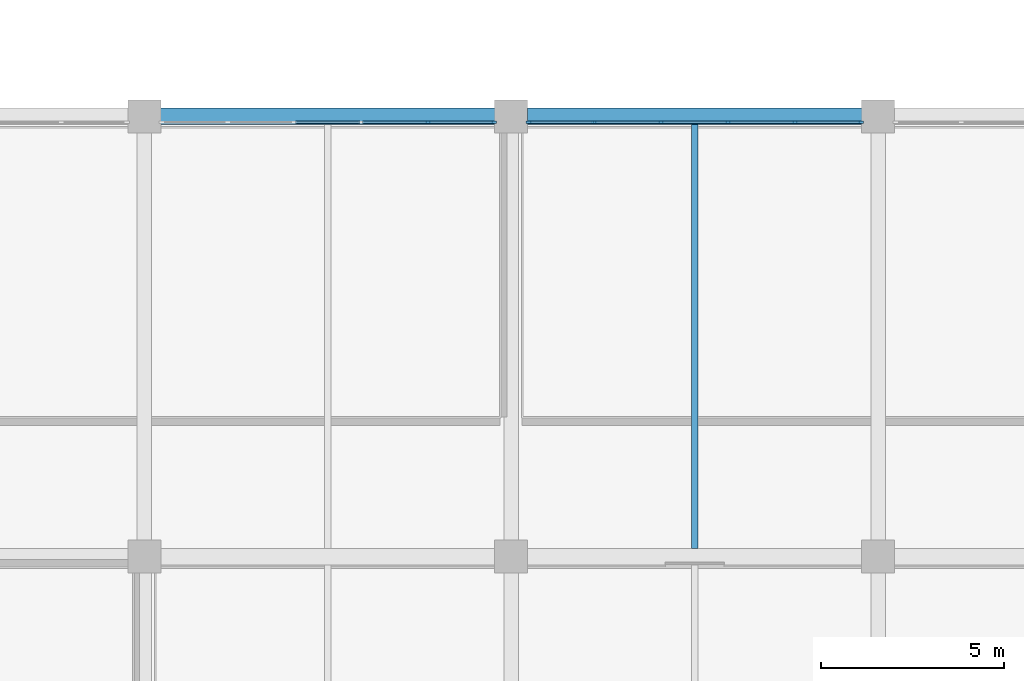
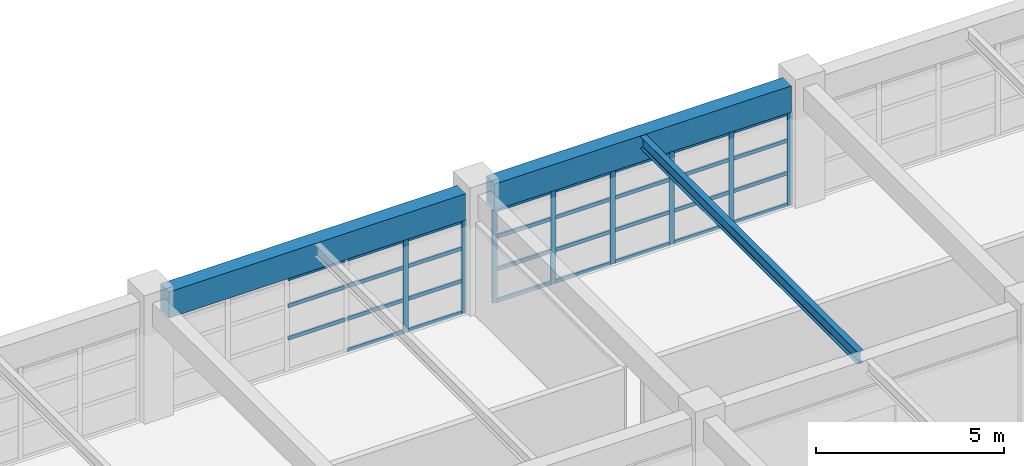
# One storey, part 52 of 100: 39 members, 3 beams, 2 elements without a shape of their own.
"""IFC4 building model written with IfcOpenShell, lengths in metres."""

import ifcopenshell
import ifcopenshell.guid

model = None  # the IFC model being written
_history = None  # IfcOwnerHistory: only IFC2X3 demands one
_inside = {}  # id of a spatial element -> (the spatial element, [elements in it])
_under = {}  # id of a project, library or spatial element -> (it, [spatial elements below it])
_declared = {}  # id of a project -> (the project, [libraries it declares])
_typed = {}  # id of a type object -> (the type object, [elements of that type])
_made_of = {}  # id of a material, layer set ... -> (it, [elements and type objects made of it])


def new_model(schema):
    """Start an empty IFC model of exactly this schema.

    Asked for "IFC4X3", IfcOpenShell would pick the latest addendum, in which some entities
    have other attributes; the version numbers below select the first issue.
    IFC2X3 requires an IfcOwnerHistory on every rooted entity: one is made here for all.
    """
    global model, _history
    if schema == "IFC4X3":
        model = ifcopenshell.file(schema_version=(4, 3, 0, 0))
    else:
        model = ifcopenshell.file(schema=schema)
    _inside.clear()
    _under.clear()
    _declared.clear()
    _typed.clear()
    _made_of.clear()
    _history = None
    if model.schema == "IFC2X3":
        org = make("IfcOrganization", Name="unknown")
        user = make(
            "IfcPersonAndOrganization",
            ThePerson=make("IfcPerson", FamilyName="unknown"),
            TheOrganization=org,
        )
        app = make(
            "IfcApplication",
            ApplicationDeveloper=org,
            Version="unknown",
            ApplicationFullName="unknown",
            ApplicationIdentifier="unknown",
        )
        _history = make(
            "IfcOwnerHistory",
            OwningUser=user,
            OwningApplication=app,
            ChangeAction="ADDED",
            CreationDate=0,
        )
    return model


def make(cls, **values):
    """One entity of the class cls with the attributes given. An attribute that is None is left unset."""
    return model.create_entity(
        cls, **{name: value for name, value in values.items() if value is not None}
    )


def rooted(cls, **values):
    """An entity with a GlobalId (a new one), such as an element, a storey or a relation."""
    return make(cls, GlobalId=ifcopenshell.guid.new(), OwnerHistory=_history, **values)


def si_unit(unit_type, name, prefix=None):
    """IfcSIUnit, for example si_unit("LENGTHUNIT", "METRE", prefix="MILLI")."""
    return make("IfcSIUnit", UnitType=unit_type, Prefix=prefix, Name=name)


def assignment(units):
    """IfcUnitAssignment: the units of a project."""
    return None if units is None else make("IfcUnitAssignment", Units=units)


def point(xyz):
    """IfcCartesianPoint."""
    return None if xyz is None else make("IfcCartesianPoint", Coordinates=xyz)


def direction(xyz):
    """IfcDirection."""
    return None if xyz is None else make("IfcDirection", DirectionRatios=xyz)


def frame(location, z_axis=None, x_axis=None):
    """IfcAxis2Placement3D, a coordinate frame: its origin and axes. An axis left out is left unset."""
    return make(
        "IfcAxis2Placement3D",
        Location=point(location),
        Axis=direction(z_axis),
        RefDirection=direction(x_axis),
    )


def frame_2d(location, x_axis=None):
    """IfcAxis2Placement2D, a coordinate frame in the plane: its origin and x axis."""
    return make(
        "IfcAxis2Placement2D", Location=point(location), RefDirection=direction(x_axis)
    )


def origin():
    """The frame at (0, 0, 0) with its axes left unset."""
    return frame((0.0, 0.0, 0.0))


def origin_2d():
    """The frame at (0, 0) in the plane with its x axis left unset."""
    return frame_2d((0.0, 0.0))


def place(relative_to, where):
    """IfcLocalPlacement: puts the frame where relative to a parent placement (None: the world)."""
    return make(
        "IfcLocalPlacement", PlacementRelTo=relative_to, RelativePlacement=where
    )


def context(
    kind, dimensions, precision=None, world=None, true_north=None, identifier=None
):
    """IfcGeometricRepresentationContext, for example the 3D "Model" context."""
    return make(
        "IfcGeometricRepresentationContext",
        ContextIdentifier=identifier,
        ContextType=kind,
        CoordinateSpaceDimension=dimensions,
        Precision=precision,
        WorldCoordinateSystem=world,
        TrueNorth=true_north,
    )


def subcontext(parent, identifier, kind, view, scale=None):
    """IfcGeometricRepresentationSubContext, for example "Body" below "Model"."""
    return make(
        "IfcGeometricRepresentationSubContext",
        ContextIdentifier=identifier,
        ContextType=kind,
        ParentContext=parent,
        TargetScale=scale,
        TargetView=view,
    )


def project(units=None, contexts=None):
    """IfcProject with its units and contexts."""
    return rooted(
        "IfcProject",
        Name="project",
        RepresentationContexts=contexts,
        UnitsInContext=assignment(units),
    )


def spatial(cls, under=None, at=None, **own):
    """A site, building, storey or space (cls), placed at a placement, below another one or the project."""
    s = rooted(cls, ObjectPlacement=at, **own)
    if under is not None:
        _under.setdefault(under.id(), (under, []))[1].append(s)
    return s


def profile(cls, at=None, kind="AREA", **sizes):
    """A parametric profile (cls). Its sizes go by their IFC names, for example OverallWidth=200.0."""
    return make(cls, ProfileType=kind, Position=at, **sizes)


def rectangle(**sizes):
    """IfcRectangleProfileDef."""
    return profile("IfcRectangleProfileDef", **sizes)


def i_section(**sizes):
    """IfcIShapeProfileDef."""
    return profile("IfcIShapeProfileDef", **sizes)


def extrude(swept, where, along, depth):
    """IfcExtrudedAreaSolid: the profile swept, set in the frame where, extruded along a direction by depth."""
    return make(
        "IfcExtrudedAreaSolid",
        SweptArea=swept,
        Position=where,
        ExtrudedDirection=direction(along),
        Depth=depth,
    )


def shape(context_of_items, identifier, shape_type, items):
    """IfcShapeRepresentation: the items that make up one representation, for example the "Body"."""
    return make(
        "IfcShapeRepresentation",
        ContextOfItems=context_of_items,
        RepresentationIdentifier=identifier,
        RepresentationType=shape_type,
        Items=items,
    )


def material(Name=None, Category=None):
    """IfcMaterial."""
    return make("IfcMaterial", Name=Name, Category=Category)


def layer(
    of_material, thickness, ventilated=None, Name=None, Category=None, Priority=None
):
    """IfcMaterialLayer: one layer of a wall or slab, of a material (None: an air gap)."""
    return make(
        "IfcMaterialLayer",
        Material=of_material,
        LayerThickness=thickness,
        IsVentilated=ventilated,
        Name=Name,
        Category=Category,
        Priority=Priority,
    )


def layer_set(layers, Name=None):
    """IfcMaterialLayerSet."""
    return make("IfcMaterialLayerSet", MaterialLayers=layers, LayerSetName=Name)


def material_profile(
    of_material, cross_section, Name=None, Category=None, Priority=None
):
    """IfcMaterialProfile: a cross section and its material."""
    return make(
        "IfcMaterialProfile",
        Name=Name,
        Material=of_material,
        Profile=cross_section,
        Priority=Priority,
        Category=Category,
    )


def profile_set(profiles, Name=None, composite=None):
    """IfcMaterialProfileSet."""
    return make(
        "IfcMaterialProfileSet",
        Name=Name,
        MaterialProfiles=profiles,
        CompositeProfile=composite,
    )


def made_of(thing, what):
    """Note that an element or type object is made of a material, layer set ...; save() writes the relation."""
    if what is not None:
        _made_of.setdefault(what.id(), (what, []))[1].append(thing)
    return thing


def type_object(cls, material=None, **own):
    """A type object (cls), such as IfcWallType, which elements share."""
    return made_of(rooted(cls, **own), material)


def element(
    cls,
    number,
    at=None,
    inside=None,
    cuts=None,
    type_object=None,
    material=None,
    context=None,
    identifier="Body",
    shape_type=None,
    held_by="IfcProductDefinitionShape",
    body=None,
    shapes=None,
    **own,
):
    """One element of the class cls, such as IfcWall. Its Tag is "e" and its number.

    at: its placement. inside: the storey or other place that contains it. cuts: it is an
    opening in that element (IfcRelVoidsElement). A single representation is given by context,
    identifier, shape_type and body (its items); several are given by shapes. held_by: the class
    of the entity that holds the representations. save() writes the other relations.
    """
    e = rooted(cls, Tag="e%d" % number, ObjectPlacement=at, **own)
    if body is not None:
        shapes = [shape(context, identifier, shape_type, body)]
    if shapes is not None:
        e.Representation = make(held_by, Representations=shapes)
    if inside is not None:
        _inside.setdefault(inside.id(), (inside, []))[1].append(e)
    if cuts is not None:
        rooted(
            "IfcRelVoidsElement", RelatingBuildingElement=cuts, RelatedOpeningElement=e
        )
    if type_object is not None:
        _typed.setdefault(type_object.id(), (type_object, []))[1].append(e)
    return made_of(e, material)


def aggregate(whole, parts):
    """IfcRelAggregates: a whole, such as a stair, and the parts it consists of."""
    return rooted("IfcRelAggregates", RelatingObject=whole, RelatedObjects=parts)


def save(model, path):
    """Write the relations noted so far, then the file.

    IfcRelAggregates (storeys below a building ...), IfcRelContainedInSpatialStructure (elements
    in a storey), IfcRelDefinesByType, IfcRelAssociatesMaterial and IfcRelDeclares: one each for
    every whole, place, type object, material and project.
    """
    for whole, parts in _under.values():
        aggregate(whole, parts)
    for where, things in _inside.values():
        rooted(
            "IfcRelContainedInSpatialStructure",
            RelatedElements=things,
            RelatingStructure=where,
        )
    for kind, things in _typed.values():
        rooted("IfcRelDefinesByType", RelatedObjects=things, RelatingType=kind)
    for what, things in _made_of.values():
        rooted("IfcRelAssociatesMaterial", RelatedObjects=things, RelatingMaterial=what)
    for by, libraries in _declared.values():
        rooted("IfcRelDeclares", RelatingContext=by, RelatedDefinitions=libraries)
    model.write(path)


model = new_model("IFC4")

# Units and contexts
model_context = context("Model", 3, precision=1e-05, world=origin(), true_north=direction((0.0, 1.0)))
body_context = subcontext(model_context, "Body", "Model", "MODEL_VIEW")
ifc_project = project(units=[si_unit("LENGTHUNIT", "METRE"), si_unit("AREAUNIT", "SQUARE_METRE"), si_unit("VOLUMEUNIT", "CUBIC_METRE"), si_unit("PLANEANGLEUNIT", "RADIAN"), si_unit("MASSUNIT", "GRAM", prefix="KILO")], contexts=[model_context])

# Site, building, storey
site_placement = place(None, origin())
site = spatial("IfcSite", under=ifc_project, at=site_placement, CompositionType="ELEMENT")
building_placement = place(site_placement, origin())
building = spatial("IfcBuilding", under=site, at=building_placement, Name="Kivolera Central Railway Station", CompositionType="ELEMENT")
storey_placement = place(building_placement, frame((0.0, 0.0, 5.39990234375)))
storey = spatial("IfcBuildingStorey", under=building, at=storey_placement, Name="L01", CompositionType="ELEMENT", Elevation=5.39990234375)

# Beams
ifc_material_1 = material(Name="Steel S355", Category="steel")
ifc_material_profile_1 = material_profile(ifc_material_1, i_section(OverallWidth=0.179931640625, OverallDepth=0.39990234375, WebThickness=0.008544921875, FlangeThickness=0.013427734375, FilletRadius=0.02099609375, at=origin_2d()), Name="IPE 400")
ifc_profile_set_1 = profile_set([ifc_material_profile_1], Name="Steel S355")
beam_type_1 = type_object("IfcBeamType", Name="BM-JST-IPE400", PredefinedType="JOIST", material=ifc_profile_set_1)
beam_placement = place(storey_placement, frame((163.0, 66.217041015625, 3.668212890625), z_axis=(0.0, 1.0, 0.0), x_axis=(-1.0, 0.0, 0.0)))
element("IfcBeam", 1, at=beam_placement, inside=storey, type_object=beam_type_1, Name="L01 Floor Joist 16-17/F-G", PredefinedType="JOIST", context=body_context, shape_type="SweptSolid", body=[
    extrude(i_section(OverallWidth=0.179931640625, OverallDepth=0.39990234375, WebThickness=0.008544921875, FlangeThickness=0.013427734375, FilletRadius=0.02099609375, at=origin_2d()), origin(), (0.0, 0.0, 1.0), 11.56591796875),
])
ifc_material_2 = material(Name="Concrete C40/50", Category="concrete")
ifc_material_profile_2 = material_profile(ifc_material_2, rectangle(XDim=0.449951171875, YDim=0.85009765625, at=origin_2d()), Name="RC 450x850")
ifc_profile_set_2 = profile_set([ifc_material_profile_2], Name="Concrete C40/50")
beam_type_2 = type_object("IfcBeamType", Name="BM-RC-450x850", PredefinedType="BEAM", material=ifc_profile_set_2)
for number, where, z_axis, x_axis, name in (
    (2, (148.44189453125, 78.0, 3.455078125), (1.0, 0.0, 0.0), (0.0, 1.0, 0.0), "L01 Wing X-Beam G:15-16"),
    (3, (158.44189453125, 78.0, 3.455078125), (1.0, 0.0, 0.0), (0.0, 1.0, 0.0), "L01 Wing X-Beam G:16-17"),
):
    element("IfcBeam", number, at=place(storey_placement, frame(where, z_axis=z_axis, x_axis=x_axis)), inside=storey, type_object=beam_type_2, Name=name, PredefinedType="BEAM", context=body_context, shape_type="SweptSolid", body=[
        extrude(rectangle(XDim=0.449951171875, YDim=0.85009765625, at=origin_2d()), origin(), (0.0, 0.0, 1.0), 9.1162109375),
    ])

# Curtain wall, members
ifc_material_3 = material(Name="Anodised aluminium", Category="aluminium")
ifc_layer = layer(ifc_material_3, 0.179931640625, Name="Anodised aluminium")
ifc_layer_set = layer_set([ifc_layer], Name="Anodised aluminium")
curtain_wall_type = type_object("IfcCurtainWallType", Name="CW-SYS-24", PredefinedType="NOTDEFINED", material=ifc_layer_set)
curtain_wall_1_placement = place(storey_placement, origin())
curtain_wall_1 = element("IfcCurtainWall", 4, at=curtain_wall_1_placement, inside=storey, type_object=curtain_wall_type, Name="L01 Curtain Wall CW-L01-CRTS-148", PredefinedType="NOTDEFINED")
ifc_material_profile_3 = material_profile(ifc_material_3, rectangle(XDim=0.06005859375, YDim=0.14990234375, at=origin_2d()), Name="ALU MULL 60x150")
ifc_profile_set_3 = profile_set([ifc_material_profile_3], Name="Anodised aluminium")
member_type_1 = type_object("IfcMemberType", Name="CWM-MUL-2", PredefinedType="MULLION", material=ifc_profile_set_3)
member_1_placement = place(storey_placement, frame((155.73291015625, 77.840087890625, -0.0048828125), z_axis=(0.0, 0.0, 1.0), x_axis=(0.0, 1.0, 0.0)))
member_1 = element("IfcMember", 5, at=member_1_placement, type_object=member_type_1, Name="CW-24 mullion 5", PredefinedType="MULLION", context=body_context, shape_type="SweptSolid", body=[
    extrude(rectangle(XDim=0.06005859375, YDim=0.14990234375, at=origin_2d()), origin(), (0.0, 0.0, 1.0), 3.02294921875),
])
member_2_placement = place(storey_placement, frame((157.52490234375, 77.840087890625, -0.0048828125), z_axis=(0.0, 0.0, 1.0), x_axis=(0.0, 1.0, 0.0)))
member_2 = element("IfcMember", 6, at=member_2_placement, type_object=member_type_1, Name="CW-24 mullion 6", PredefinedType="MULLION", context=body_context, shape_type="SweptSolid", body=[
    extrude(rectangle(XDim=0.06005859375, YDim=0.14990234375, at=origin_2d()), origin(), (0.0, 0.0, 1.0), 3.02294921875),
])

curtain_wall_2_placement = place(storey_placement, origin())
curtain_wall_2 = element("IfcCurtainWall", 7, at=curtain_wall_2_placement, inside=storey, type_object=curtain_wall_type, Name="L01 Curtain Wall CW-L01-CRTS-158", PredefinedType="NOTDEFINED")
member_3_placement = place(storey_placement, frame((158.47509765625, 77.840087890625, -0.0048828125), z_axis=(0.0, 0.0, 1.0), x_axis=(0.0, 1.0, 0.0)))
member_3 = element("IfcMember", 8, at=member_3_placement, type_object=member_type_1, Name="CW-24 mullion 1", PredefinedType="MULLION", context=body_context, shape_type="SweptSolid", body=[
    extrude(rectangle(XDim=0.06005859375, YDim=0.14990234375, at=origin_2d()), origin(), (0.0, 0.0, 1.0), 3.02294921875),
])
member_4_placement = place(storey_placement, frame((160.26708984375, 77.840087890625, -0.0048828125), z_axis=(0.0, 0.0, 1.0), x_axis=(0.0, 1.0, 0.0)))
member_4 = element("IfcMember", 9, at=member_4_placement, type_object=member_type_1, Name="CW-24 mullion 2", PredefinedType="MULLION", context=body_context, shape_type="SweptSolid", body=[
    extrude(rectangle(XDim=0.06005859375, YDim=0.14990234375, at=origin_2d()), origin(), (0.0, 0.0, 1.0), 3.02294921875),
])
member_5_placement = place(storey_placement, frame((162.089111328125, 77.840087890625, -0.0048828125), z_axis=(0.0, 0.0, 1.0), x_axis=(0.0, 1.0, 0.0)))
member_5 = element("IfcMember", 10, at=member_5_placement, type_object=member_type_1, Name="CW-24 mullion 3", PredefinedType="MULLION", context=body_context, shape_type="SweptSolid", body=[
    extrude(rectangle(XDim=0.06005859375, YDim=0.14990234375, at=origin_2d()), origin(), (0.0, 0.0, 1.0), 3.02294921875),
])
member_6_placement = place(storey_placement, frame((163.910888671875, 77.840087890625, -0.0048828125), z_axis=(0.0, 0.0, 1.0), x_axis=(0.0, 1.0, 0.0)))
member_6 = element("IfcMember", 11, at=member_6_placement, type_object=member_type_1, Name="CW-24 mullion 4", PredefinedType="MULLION", context=body_context, shape_type="SweptSolid", body=[
    extrude(rectangle(XDim=0.06005859375, YDim=0.14990234375, at=origin_2d()), origin(), (0.0, 0.0, 1.0), 3.02294921875),
])
member_7_placement = place(storey_placement, frame((165.73291015625, 77.840087890625, -0.0048828125), z_axis=(0.0, 0.0, 1.0), x_axis=(0.0, 1.0, 0.0)))
member_7 = element("IfcMember", 12, at=member_7_placement, type_object=member_type_1, Name="CW-24 mullion 5", PredefinedType="MULLION", context=body_context, shape_type="SweptSolid", body=[
    extrude(rectangle(XDim=0.06005859375, YDim=0.14990234375, at=origin_2d()), origin(), (0.0, 0.0, 1.0), 3.02294921875),
])
member_8_placement = place(storey_placement, frame((167.52490234375, 77.840087890625, -0.0048828125), z_axis=(0.0, 0.0, 1.0), x_axis=(0.0, 1.0, 0.0)))
member_8 = element("IfcMember", 13, at=member_8_placement, type_object=member_type_1, Name="CW-24 mullion 6", PredefinedType="MULLION", context=body_context, shape_type="SweptSolid", body=[
    extrude(rectangle(XDim=0.06005859375, YDim=0.14990234375, at=origin_2d()), origin(), (0.0, 0.0, 1.0), 3.02294921875),
])

# Member
ifc_material_profile_4 = material_profile(ifc_material_3, rectangle(XDim=0.06005859375, YDim=0.1201171875, at=origin_2d()), Name="ALU TRAN 60x120")
ifc_profile_set_4 = profile_set([ifc_material_profile_4], Name="Anodised aluminium")
member_type_2 = type_object("IfcMemberType", Name="CWM-TRN-2", PredefinedType="USERDEFINED", material=ifc_profile_set_4)
member_9_placement = place(storey_placement, frame((152.118896484375, 77.840087890625, 1.056396484375), z_axis=(1.0, 0.0, 0.0), x_axis=(0.0, 1.0, 0.0)))
member_9 = element("IfcMember", 14, at=member_9_placement, type_object=member_type_2, Name="CW-24 transom 3.2", ObjectType="TRANSOM", PredefinedType="USERDEFINED", context=body_context, shape_type="SweptSolid", body=[
    extrude(rectangle(XDim=0.06005859375, YDim=0.1201171875, at=origin_2d()), origin(), (0.0, 0.0, 1.0), 1.76220703125),
])

member_10_placement = place(storey_placement, frame((152.118896484375, 77.840087890625, 2.11279296875), z_axis=(1.0, 0.0, 0.0), x_axis=(0.0, 1.0, 0.0)))
member_10 = element("IfcMember", 15, at=member_10_placement, type_object=member_type_2, Name="CW-24 transom 3.3", ObjectType="TRANSOM", PredefinedType="USERDEFINED", context=body_context, shape_type="SweptSolid", body=[
    extrude(rectangle(XDim=0.06005859375, YDim=0.1201171875, at=origin_2d()), origin(), (0.0, 0.0, 1.0), 1.76220703125),
])

member_11_placement = place(storey_placement, frame((152.118896484375, 77.840087890625, 2.988037109375), z_axis=(1.0, 0.0, 0.0), x_axis=(0.0, 1.0, 0.0)))
member_11 = element("IfcMember", 16, at=member_11_placement, type_object=member_type_2, Name="CW-24 transom 3.4", ObjectType="TRANSOM", PredefinedType="USERDEFINED", context=body_context, shape_type="SweptSolid", body=[
    extrude(rectangle(XDim=0.06005859375, YDim=0.1201171875, at=origin_2d()), origin(), (0.0, 0.0, 1.0), 1.76220703125),
])

member_12_placement = place(storey_placement, frame((153.94091796875, 77.840087890625, 0.030029296875), z_axis=(1.0, 0.0, 0.0), x_axis=(0.0, 1.0, 0.0)))
member_12 = element("IfcMember", 17, at=member_12_placement, type_object=member_type_2, Name="CW-24 transom 4.1", ObjectType="TRANSOM", PredefinedType="USERDEFINED", context=body_context, shape_type="SweptSolid", body=[
    extrude(rectangle(XDim=0.06005859375, YDim=0.1201171875, at=origin_2d()), origin(), (0.0, 0.0, 1.0), 1.761962890625),
])

member_13_placement = place(storey_placement, frame((153.94091796875, 77.840087890625, 1.056396484375), z_axis=(1.0, 0.0, 0.0), x_axis=(0.0, 1.0, 0.0)))
member_13 = element("IfcMember", 18, at=member_13_placement, type_object=member_type_2, Name="CW-24 transom 4.2", ObjectType="TRANSOM", PredefinedType="USERDEFINED", context=body_context, shape_type="SweptSolid", body=[
    extrude(rectangle(XDim=0.06005859375, YDim=0.1201171875, at=origin_2d()), origin(), (0.0, 0.0, 1.0), 1.761962890625),
])

member_14_placement = place(storey_placement, frame((153.94091796875, 77.840087890625, 2.11279296875), z_axis=(1.0, 0.0, 0.0), x_axis=(0.0, 1.0, 0.0)))
member_14 = element("IfcMember", 19, at=member_14_placement, type_object=member_type_2, Name="CW-24 transom 4.3", ObjectType="TRANSOM", PredefinedType="USERDEFINED", context=body_context, shape_type="SweptSolid", body=[
    extrude(rectangle(XDim=0.06005859375, YDim=0.1201171875, at=origin_2d()), origin(), (0.0, 0.0, 1.0), 1.761962890625),
])

member_15_placement = place(storey_placement, frame((153.94091796875, 77.840087890625, 2.988037109375), z_axis=(1.0, 0.0, 0.0), x_axis=(0.0, 1.0, 0.0)))
member_15 = element("IfcMember", 20, at=member_15_placement, type_object=member_type_2, Name="CW-24 transom 4.4", ObjectType="TRANSOM", PredefinedType="USERDEFINED", context=body_context, shape_type="SweptSolid", body=[
    extrude(rectangle(XDim=0.06005859375, YDim=0.1201171875, at=origin_2d()), origin(), (0.0, 0.0, 1.0), 1.761962890625),
])

member_16_placement = place(storey_placement, frame((155.762939453125, 77.840087890625, 0.030029296875), z_axis=(1.0, 0.0, 0.0), x_axis=(0.0, 1.0, 0.0)))
member_16 = element("IfcMember", 21, at=member_16_placement, type_object=member_type_2, Name="CW-24 transom 5.1", ObjectType="TRANSOM", PredefinedType="USERDEFINED", context=body_context, shape_type="SweptSolid", body=[
    extrude(rectangle(XDim=0.06005859375, YDim=0.1201171875, at=origin_2d()), origin(), (0.0, 0.0, 1.0), 1.732177734375),
])

member_17_placement = place(storey_placement, frame((155.762939453125, 77.840087890625, 1.056396484375), z_axis=(1.0, 0.0, 0.0), x_axis=(0.0, 1.0, 0.0)))
member_17 = element("IfcMember", 22, at=member_17_placement, type_object=member_type_2, Name="CW-24 transom 5.2", ObjectType="TRANSOM", PredefinedType="USERDEFINED", context=body_context, shape_type="SweptSolid", body=[
    extrude(rectangle(XDim=0.06005859375, YDim=0.1201171875, at=origin_2d()), origin(), (0.0, 0.0, 1.0), 1.732177734375),
])

member_18_placement = place(storey_placement, frame((155.762939453125, 77.840087890625, 2.11279296875), z_axis=(1.0, 0.0, 0.0), x_axis=(0.0, 1.0, 0.0)))
member_18 = element("IfcMember", 23, at=member_18_placement, type_object=member_type_2, Name="CW-24 transom 5.3", ObjectType="TRANSOM", PredefinedType="USERDEFINED", context=body_context, shape_type="SweptSolid", body=[
    extrude(rectangle(XDim=0.06005859375, YDim=0.1201171875, at=origin_2d()), origin(), (0.0, 0.0, 1.0), 1.732177734375),
])

member_19_placement = place(storey_placement, frame((155.762939453125, 77.840087890625, 2.988037109375), z_axis=(1.0, 0.0, 0.0), x_axis=(0.0, 1.0, 0.0)))
member_19 = element("IfcMember", 24, at=member_19_placement, type_object=member_type_2, Name="CW-24 transom 5.4", ObjectType="TRANSOM", PredefinedType="USERDEFINED", context=body_context, shape_type="SweptSolid", body=[
    extrude(rectangle(XDim=0.06005859375, YDim=0.1201171875, at=origin_2d()), origin(), (0.0, 0.0, 1.0), 1.732177734375),
])

aggregate(curtain_wall_1, [member_1, member_2, member_9, member_10, member_11, member_12, member_13, member_14, member_15, member_16, member_17, member_18, member_19])

member_20_placement = place(storey_placement, frame((158.5048828125, 77.840087890625, 0.030029296875), z_axis=(1.0, 0.0, 0.0), x_axis=(0.0, 1.0, 0.0)))
member_20 = element("IfcMember", 25, at=member_20_placement, type_object=member_type_2, Name="CW-24 transom 1.1", ObjectType="TRANSOM", PredefinedType="USERDEFINED", context=body_context, shape_type="SweptSolid", body=[
    extrude(rectangle(XDim=0.06005859375, YDim=0.1201171875, at=origin_2d()), origin(), (0.0, 0.0, 1.0), 1.732177734375),
])

member_21_placement = place(storey_placement, frame((158.5048828125, 77.840087890625, 1.056396484375), z_axis=(1.0, 0.0, 0.0), x_axis=(0.0, 1.0, 0.0)))
member_21 = element("IfcMember", 26, at=member_21_placement, type_object=member_type_2, Name="CW-24 transom 1.2", ObjectType="TRANSOM", PredefinedType="USERDEFINED", context=body_context, shape_type="SweptSolid", body=[
    extrude(rectangle(XDim=0.06005859375, YDim=0.1201171875, at=origin_2d()), origin(), (0.0, 0.0, 1.0), 1.732177734375),
])

member_22_placement = place(storey_placement, frame((158.5048828125, 77.840087890625, 2.11279296875), z_axis=(1.0, 0.0, 0.0), x_axis=(0.0, 1.0, 0.0)))
member_22 = element("IfcMember", 27, at=member_22_placement, type_object=member_type_2, Name="CW-24 transom 1.3", ObjectType="TRANSOM", PredefinedType="USERDEFINED", context=body_context, shape_type="SweptSolid", body=[
    extrude(rectangle(XDim=0.06005859375, YDim=0.1201171875, at=origin_2d()), origin(), (0.0, 0.0, 1.0), 1.732177734375),
])

member_23_placement = place(storey_placement, frame((158.5048828125, 77.840087890625, 2.988037109375), z_axis=(1.0, 0.0, 0.0), x_axis=(0.0, 1.0, 0.0)))
member_23 = element("IfcMember", 28, at=member_23_placement, type_object=member_type_2, Name="CW-24 transom 1.4", ObjectType="TRANSOM", PredefinedType="USERDEFINED", context=body_context, shape_type="SweptSolid", body=[
    extrude(rectangle(XDim=0.06005859375, YDim=0.1201171875, at=origin_2d()), origin(), (0.0, 0.0, 1.0), 1.732177734375),
])

member_24_placement = place(storey_placement, frame((160.297119140625, 77.840087890625, 0.030029296875), z_axis=(1.0, 0.0, 0.0), x_axis=(0.0, 1.0, 0.0)))
member_24 = element("IfcMember", 29, at=member_24_placement, type_object=member_type_2, Name="CW-24 transom 2.1", ObjectType="TRANSOM", PredefinedType="USERDEFINED", context=body_context, shape_type="SweptSolid", body=[
    extrude(rectangle(XDim=0.06005859375, YDim=0.1201171875, at=origin_2d()), origin(), (0.0, 0.0, 1.0), 1.761962890625),
])

member_25_placement = place(storey_placement, frame((160.297119140625, 77.840087890625, 1.056396484375), z_axis=(1.0, 0.0, 0.0), x_axis=(0.0, 1.0, 0.0)))
member_25 = element("IfcMember", 30, at=member_25_placement, type_object=member_type_2, Name="CW-24 transom 2.2", ObjectType="TRANSOM", PredefinedType="USERDEFINED", context=body_context, shape_type="SweptSolid", body=[
    extrude(rectangle(XDim=0.06005859375, YDim=0.1201171875, at=origin_2d()), origin(), (0.0, 0.0, 1.0), 1.761962890625),
])

member_26_placement = place(storey_placement, frame((160.297119140625, 77.840087890625, 2.11279296875), z_axis=(1.0, 0.0, 0.0), x_axis=(0.0, 1.0, 0.0)))
member_26 = element("IfcMember", 31, at=member_26_placement, type_object=member_type_2, Name="CW-24 transom 2.3", ObjectType="TRANSOM", PredefinedType="USERDEFINED", context=body_context, shape_type="SweptSolid", body=[
    extrude(rectangle(XDim=0.06005859375, YDim=0.1201171875, at=origin_2d()), origin(), (0.0, 0.0, 1.0), 1.761962890625),
])

member_27_placement = place(storey_placement, frame((160.297119140625, 77.840087890625, 2.988037109375), z_axis=(1.0, 0.0, 0.0), x_axis=(0.0, 1.0, 0.0)))
member_27 = element("IfcMember", 32, at=member_27_placement, type_object=member_type_2, Name="CW-24 transom 2.4", ObjectType="TRANSOM", PredefinedType="USERDEFINED", context=body_context, shape_type="SweptSolid", body=[
    extrude(rectangle(XDim=0.06005859375, YDim=0.1201171875, at=origin_2d()), origin(), (0.0, 0.0, 1.0), 1.761962890625),
])

member_28_placement = place(storey_placement, frame((162.118896484375, 77.840087890625, 0.030029296875), z_axis=(1.0, 0.0, 0.0), x_axis=(0.0, 1.0, 0.0)))
member_28 = element("IfcMember", 33, at=member_28_placement, type_object=member_type_2, Name="CW-24 transom 3.1", ObjectType="TRANSOM", PredefinedType="USERDEFINED", context=body_context, shape_type="SweptSolid", body=[
    extrude(rectangle(XDim=0.06005859375, YDim=0.1201171875, at=origin_2d()), origin(), (0.0, 0.0, 1.0), 1.76220703125),
])

member_29_placement = place(storey_placement, frame((162.118896484375, 77.840087890625, 1.056396484375), z_axis=(1.0, 0.0, 0.0), x_axis=(0.0, 1.0, 0.0)))
member_29 = element("IfcMember", 34, at=member_29_placement, type_object=member_type_2, Name="CW-24 transom 3.2", ObjectType="TRANSOM", PredefinedType="USERDEFINED", context=body_context, shape_type="SweptSolid", body=[
    extrude(rectangle(XDim=0.06005859375, YDim=0.1201171875, at=origin_2d()), origin(), (0.0, 0.0, 1.0), 1.76220703125),
])

member_30_placement = place(storey_placement, frame((162.118896484375, 77.840087890625, 2.11279296875), z_axis=(1.0, 0.0, 0.0), x_axis=(0.0, 1.0, 0.0)))
member_30 = element("IfcMember", 35, at=member_30_placement, type_object=member_type_2, Name="CW-24 transom 3.3", ObjectType="TRANSOM", PredefinedType="USERDEFINED", context=body_context, shape_type="SweptSolid", body=[
    extrude(rectangle(XDim=0.06005859375, YDim=0.1201171875, at=origin_2d()), origin(), (0.0, 0.0, 1.0), 1.76220703125),
])

member_31_placement = place(storey_placement, frame((162.118896484375, 77.840087890625, 2.988037109375), z_axis=(1.0, 0.0, 0.0), x_axis=(0.0, 1.0, 0.0)))
member_31 = element("IfcMember", 36, at=member_31_placement, type_object=member_type_2, Name="CW-24 transom 3.4", ObjectType="TRANSOM", PredefinedType="USERDEFINED", context=body_context, shape_type="SweptSolid", body=[
    extrude(rectangle(XDim=0.06005859375, YDim=0.1201171875, at=origin_2d()), origin(), (0.0, 0.0, 1.0), 1.76220703125),
])

member_32_placement = place(storey_placement, frame((163.94091796875, 77.840087890625, 0.030029296875), z_axis=(1.0, 0.0, 0.0), x_axis=(0.0, 1.0, 0.0)))
member_32 = element("IfcMember", 37, at=member_32_placement, type_object=member_type_2, Name="CW-24 transom 4.1", ObjectType="TRANSOM", PredefinedType="USERDEFINED", context=body_context, shape_type="SweptSolid", body=[
    extrude(rectangle(XDim=0.06005859375, YDim=0.1201171875, at=origin_2d()), origin(), (0.0, 0.0, 1.0), 1.761962890625),
])

member_33_placement = place(storey_placement, frame((163.94091796875, 77.840087890625, 1.056396484375), z_axis=(1.0, 0.0, 0.0), x_axis=(0.0, 1.0, 0.0)))
member_33 = element("IfcMember", 38, at=member_33_placement, type_object=member_type_2, Name="CW-24 transom 4.2", ObjectType="TRANSOM", PredefinedType="USERDEFINED", context=body_context, shape_type="SweptSolid", body=[
    extrude(rectangle(XDim=0.06005859375, YDim=0.1201171875, at=origin_2d()), origin(), (0.0, 0.0, 1.0), 1.761962890625),
])

member_34_placement = place(storey_placement, frame((163.94091796875, 77.840087890625, 2.11279296875), z_axis=(1.0, 0.0, 0.0), x_axis=(0.0, 1.0, 0.0)))
member_34 = element("IfcMember", 39, at=member_34_placement, type_object=member_type_2, Name="CW-24 transom 4.3", ObjectType="TRANSOM", PredefinedType="USERDEFINED", context=body_context, shape_type="SweptSolid", body=[
    extrude(rectangle(XDim=0.06005859375, YDim=0.1201171875, at=origin_2d()), origin(), (0.0, 0.0, 1.0), 1.761962890625),
])

member_35_placement = place(storey_placement, frame((163.94091796875, 77.840087890625, 2.988037109375), z_axis=(1.0, 0.0, 0.0), x_axis=(0.0, 1.0, 0.0)))
member_35 = element("IfcMember", 40, at=member_35_placement, type_object=member_type_2, Name="CW-24 transom 4.4", ObjectType="TRANSOM", PredefinedType="USERDEFINED", context=body_context, shape_type="SweptSolid", body=[
    extrude(rectangle(XDim=0.06005859375, YDim=0.1201171875, at=origin_2d()), origin(), (0.0, 0.0, 1.0), 1.761962890625),
])

member_36_placement = place(storey_placement, frame((165.762939453125, 77.840087890625, 0.030029296875), z_axis=(1.0, 0.0, 0.0), x_axis=(0.0, 1.0, 0.0)))
member_36 = element("IfcMember", 41, at=member_36_placement, type_object=member_type_2, Name="CW-24 transom 5.1", ObjectType="TRANSOM", PredefinedType="USERDEFINED", context=body_context, shape_type="SweptSolid", body=[
    extrude(rectangle(XDim=0.06005859375, YDim=0.1201171875, at=origin_2d()), origin(), (0.0, 0.0, 1.0), 1.732177734375),
])

member_37_placement = place(storey_placement, frame((165.762939453125, 77.840087890625, 1.056396484375), z_axis=(1.0, 0.0, 0.0), x_axis=(0.0, 1.0, 0.0)))
member_37 = element("IfcMember", 42, at=member_37_placement, type_object=member_type_2, Name="CW-24 transom 5.2", ObjectType="TRANSOM", PredefinedType="USERDEFINED", context=body_context, shape_type="SweptSolid", body=[
    extrude(rectangle(XDim=0.06005859375, YDim=0.1201171875, at=origin_2d()), origin(), (0.0, 0.0, 1.0), 1.732177734375),
])

member_38_placement = place(storey_placement, frame((165.762939453125, 77.840087890625, 2.11279296875), z_axis=(1.0, 0.0, 0.0), x_axis=(0.0, 1.0, 0.0)))
member_38 = element("IfcMember", 43, at=member_38_placement, type_object=member_type_2, Name="CW-24 transom 5.3", ObjectType="TRANSOM", PredefinedType="USERDEFINED", context=body_context, shape_type="SweptSolid", body=[
    extrude(rectangle(XDim=0.06005859375, YDim=0.1201171875, at=origin_2d()), origin(), (0.0, 0.0, 1.0), 1.732177734375),
])

member_39_placement = place(storey_placement, frame((165.762939453125, 77.840087890625, 2.988037109375), z_axis=(1.0, 0.0, 0.0), x_axis=(0.0, 1.0, 0.0)))
member_39 = element("IfcMember", 44, at=member_39_placement, type_object=member_type_2, Name="CW-24 transom 5.4", ObjectType="TRANSOM", PredefinedType="USERDEFINED", context=body_context, shape_type="SweptSolid", body=[
    extrude(rectangle(XDim=0.06005859375, YDim=0.1201171875, at=origin_2d()), origin(), (0.0, 0.0, 1.0), 1.732177734375),
])

aggregate(curtain_wall_2, [member_3, member_4, member_5, member_6, member_7, member_8, member_20, member_21, member_22, member_23, member_24, member_25, member_26, member_27, member_28, member_29, member_30, member_31, member_32, member_33, member_34, member_35, member_36, member_37, member_38, member_39])

save(model, "model.ifc")
